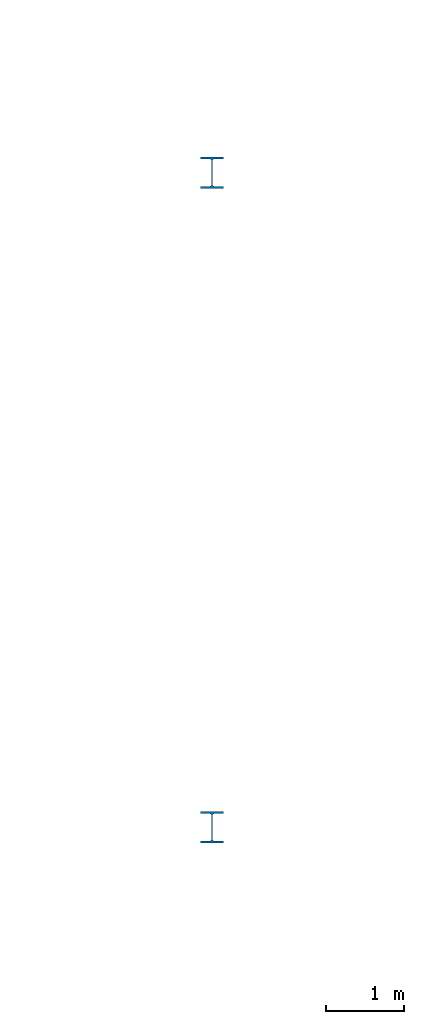
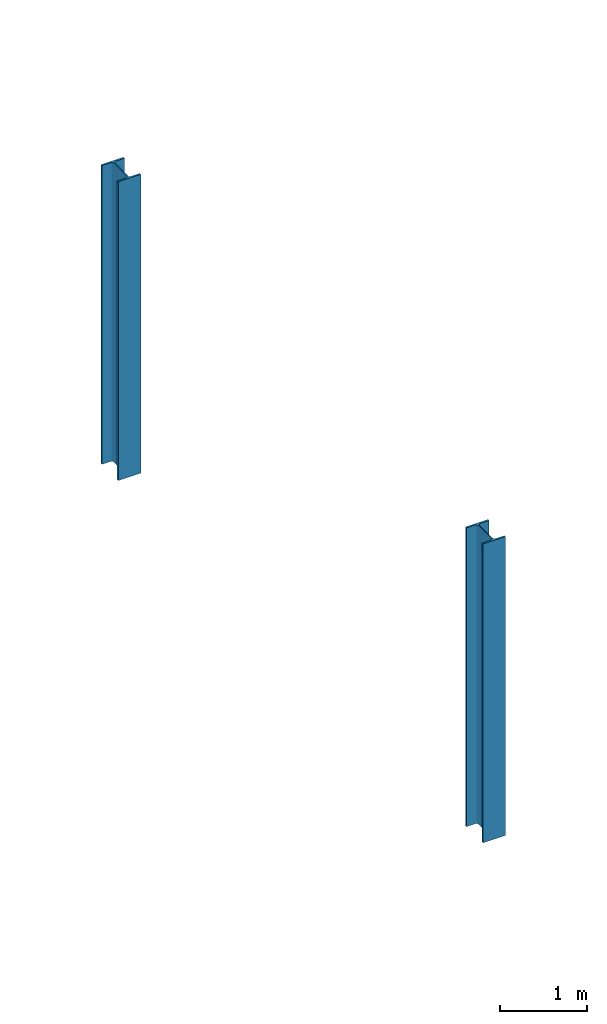
# One storey, part 16 of 157: 2 columns.
"""IFC4 building model written with IfcOpenShell, lengths in metres."""

from ifc_helpers import new_model, si_unit, direction, frame, origin, origin_2d, place, context, subcontext, project, spatial, i_section, extrude, material, material_profile, profile_set, type_object, element, save


model = new_model("IFC4")

# Units and contexts
model_context = context("Model", 3, precision=1e-05, world=origin(), true_north=direction((0.0, 1.0)))
body_context = subcontext(model_context, "Body", "Model", "MODEL_VIEW")
ifc_project = project(units=[si_unit("LENGTHUNIT", "METRE"), si_unit("AREAUNIT", "SQUARE_METRE"), si_unit("VOLUMEUNIT", "CUBIC_METRE"), si_unit("PLANEANGLEUNIT", "RADIAN"), si_unit("MASSUNIT", "GRAM", prefix="KILO")], contexts=[model_context])

# Site, building, storey
site_placement = place(None, origin())
site = spatial("IfcSite", under=ifc_project, at=site_placement, CompositionType="ELEMENT")
building_placement = place(site_placement, origin())
building = spatial("IfcBuilding", under=site, at=building_placement, Name="Brelvane Convention Centre", CompositionType="ELEMENT")
storey_placement = place(building_placement, frame((0.0, 0.0, 10.800048828125)))
storey = spatial("IfcBuildingStorey", under=building, at=storey_placement, Name="L02", CompositionType="ELEMENT", Elevation=10.800048828125)

# Columns
ifc_material = material(Name="Steel E350 (350 MPa)", Category="steel")
ifc_material_profile = material_profile(ifc_material, i_section(OverallWidth=0.300048828125, OverallDepth=0.39990234375, WebThickness=0.013427734375, FlangeThickness=0.02392578125, FilletRadius=0.027099609375, at=origin_2d()), Name="WPB 400x300")
ifc_profile_set = profile_set([ifc_material_profile], Name="Steel E350 (350 MPa)")
column_type = type_object("IfcColumnType", Name="Steel Column C-ST7 (WPB 400x300)", PredefinedType="COLUMN", material=ifc_profile_set)
for number, where, z_axis, x_axis, name in (
    (1, (224.39990234375, 118.800048828125, 0.0), (0.0, 0.0, 1.0), (1.0, 0.0, 0.0), "Column 23-M (L02)"),
    (2, (224.39990234375, 127.199951171875, 0.0), (0.0, 0.0, 1.0), (1.0, 0.0, 0.0), "Column 23-N (L02)"),
):
    element("IfcColumn", number, at=place(storey_placement, frame(where, z_axis=z_axis, x_axis=x_axis)), inside=storey, type_object=column_type, Name=name, PredefinedType="COLUMN", context=body_context, shape_type="SweptSolid", body=[
        extrude(i_section(OverallWidth=0.300048828125, OverallDepth=0.39990234375, WebThickness=0.013427734375, FlangeThickness=0.02392578125, FilletRadius=0.027099609375, at=origin_2d()), origin(), (0.0, 0.0, 1.0), 4.199951171875),
    ])

save(model, "model.ifc")
